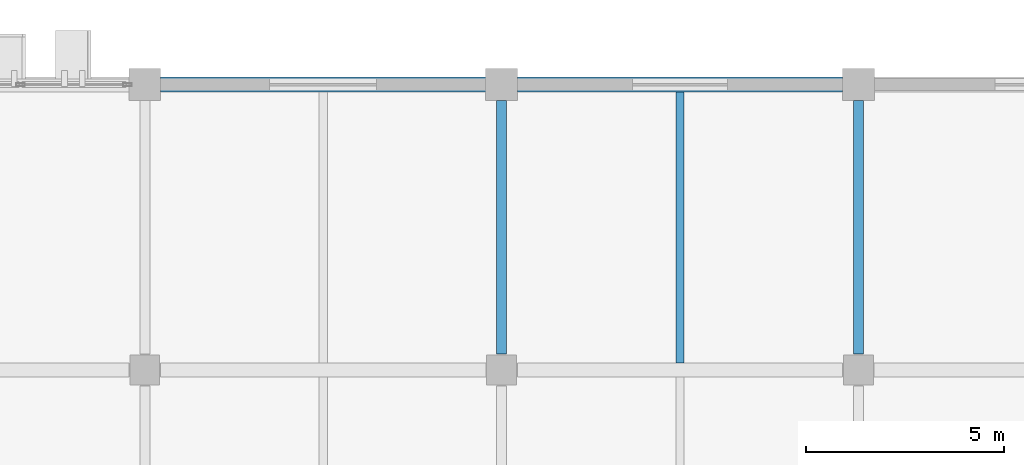
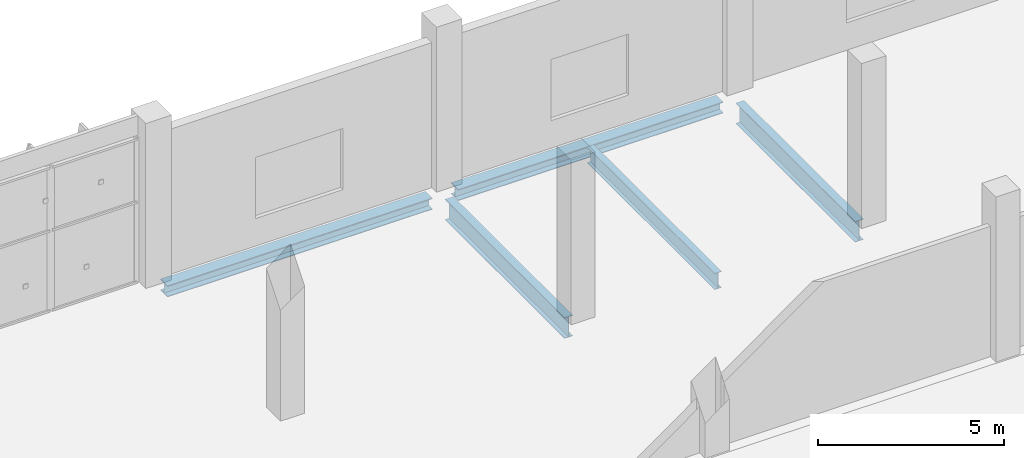
# One storey, part 44 of 137: 5 beams.
"""IFC4 building model written with IfcOpenShell, lengths in metres."""

import ifcopenshell
import ifcopenshell.guid

model = None  # the IFC model being written
_history = None  # IfcOwnerHistory: only IFC2X3 demands one
_inside = {}  # id of a spatial element -> (the spatial element, [elements in it])
_under = {}  # id of a project, library or spatial element -> (it, [spatial elements below it])
_declared = {}  # id of a project -> (the project, [libraries it declares])
_typed = {}  # id of a type object -> (the type object, [elements of that type])
_made_of = {}  # id of a material, layer set ... -> (it, [elements and type objects made of it])


def new_model(schema):
    """Start an empty IFC model of exactly this schema.

    Asked for "IFC4X3", IfcOpenShell would pick the latest addendum, in which some entities
    have other attributes; the version numbers below select the first issue.
    IFC2X3 requires an IfcOwnerHistory on every rooted entity: one is made here for all.
    """
    global model, _history
    if schema == "IFC4X3":
        model = ifcopenshell.file(schema_version=(4, 3, 0, 0))
    else:
        model = ifcopenshell.file(schema=schema)
    _inside.clear()
    _under.clear()
    _declared.clear()
    _typed.clear()
    _made_of.clear()
    _history = None
    if model.schema == "IFC2X3":
        org = make("IfcOrganization", Name="unknown")
        user = make(
            "IfcPersonAndOrganization",
            ThePerson=make("IfcPerson", FamilyName="unknown"),
            TheOrganization=org,
        )
        app = make(
            "IfcApplication",
            ApplicationDeveloper=org,
            Version="unknown",
            ApplicationFullName="unknown",
            ApplicationIdentifier="unknown",
        )
        _history = make(
            "IfcOwnerHistory",
            OwningUser=user,
            OwningApplication=app,
            ChangeAction="ADDED",
            CreationDate=0,
        )
    return model


def make(cls, **values):
    """One entity of the class cls with the attributes given. An attribute that is None is left unset."""
    return model.create_entity(
        cls, **{name: value for name, value in values.items() if value is not None}
    )


def rooted(cls, **values):
    """An entity with a GlobalId (a new one), such as an element, a storey or a relation."""
    return make(cls, GlobalId=ifcopenshell.guid.new(), OwnerHistory=_history, **values)


def si_unit(unit_type, name, prefix=None):
    """IfcSIUnit, for example si_unit("LENGTHUNIT", "METRE", prefix="MILLI")."""
    return make("IfcSIUnit", UnitType=unit_type, Prefix=prefix, Name=name)


def assignment(units):
    """IfcUnitAssignment: the units of a project."""
    return None if units is None else make("IfcUnitAssignment", Units=units)


def point(xyz):
    """IfcCartesianPoint."""
    return None if xyz is None else make("IfcCartesianPoint", Coordinates=xyz)


def direction(xyz):
    """IfcDirection."""
    return None if xyz is None else make("IfcDirection", DirectionRatios=xyz)


def frame(location, z_axis=None, x_axis=None):
    """IfcAxis2Placement3D, a coordinate frame: its origin and axes. An axis left out is left unset."""
    return make(
        "IfcAxis2Placement3D",
        Location=point(location),
        Axis=direction(z_axis),
        RefDirection=direction(x_axis),
    )


def frame_2d(location, x_axis=None):
    """IfcAxis2Placement2D, a coordinate frame in the plane: its origin and x axis."""
    return make(
        "IfcAxis2Placement2D", Location=point(location), RefDirection=direction(x_axis)
    )


def origin():
    """The frame at (0, 0, 0) with its axes left unset."""
    return frame((0.0, 0.0, 0.0))


def origin_2d():
    """The frame at (0, 0) in the plane with its x axis left unset."""
    return frame_2d((0.0, 0.0))


def place(relative_to, where):
    """IfcLocalPlacement: puts the frame where relative to a parent placement (None: the world)."""
    return make(
        "IfcLocalPlacement", PlacementRelTo=relative_to, RelativePlacement=where
    )


def context(
    kind, dimensions, precision=None, world=None, true_north=None, identifier=None
):
    """IfcGeometricRepresentationContext, for example the 3D "Model" context."""
    return make(
        "IfcGeometricRepresentationContext",
        ContextIdentifier=identifier,
        ContextType=kind,
        CoordinateSpaceDimension=dimensions,
        Precision=precision,
        WorldCoordinateSystem=world,
        TrueNorth=true_north,
    )


def subcontext(parent, identifier, kind, view, scale=None):
    """IfcGeometricRepresentationSubContext, for example "Body" below "Model"."""
    return make(
        "IfcGeometricRepresentationSubContext",
        ContextIdentifier=identifier,
        ContextType=kind,
        ParentContext=parent,
        TargetScale=scale,
        TargetView=view,
    )


def project(units=None, contexts=None):
    """IfcProject with its units and contexts."""
    return rooted(
        "IfcProject",
        Name="project",
        RepresentationContexts=contexts,
        UnitsInContext=assignment(units),
    )


def spatial(cls, under=None, at=None, **own):
    """A site, building, storey or space (cls), placed at a placement, below another one or the project."""
    s = rooted(cls, ObjectPlacement=at, **own)
    if under is not None:
        _under.setdefault(under.id(), (under, []))[1].append(s)
    return s


def profile(cls, at=None, kind="AREA", **sizes):
    """A parametric profile (cls). Its sizes go by their IFC names, for example OverallWidth=200.0."""
    return make(cls, ProfileType=kind, Position=at, **sizes)


def i_section(**sizes):
    """IfcIShapeProfileDef."""
    return profile("IfcIShapeProfileDef", **sizes)


def extrude(swept, where, along, depth):
    """IfcExtrudedAreaSolid: the profile swept, set in the frame where, extruded along a direction by depth."""
    return make(
        "IfcExtrudedAreaSolid",
        SweptArea=swept,
        Position=where,
        ExtrudedDirection=direction(along),
        Depth=depth,
    )


def shape(context_of_items, identifier, shape_type, items):
    """IfcShapeRepresentation: the items that make up one representation, for example the "Body"."""
    return make(
        "IfcShapeRepresentation",
        ContextOfItems=context_of_items,
        RepresentationIdentifier=identifier,
        RepresentationType=shape_type,
        Items=items,
    )


def material(Name=None, Category=None):
    """IfcMaterial."""
    return make("IfcMaterial", Name=Name, Category=Category)


def material_profile(
    of_material, cross_section, Name=None, Category=None, Priority=None
):
    """IfcMaterialProfile: a cross section and its material."""
    return make(
        "IfcMaterialProfile",
        Name=Name,
        Material=of_material,
        Profile=cross_section,
        Priority=Priority,
        Category=Category,
    )


def profile_set(profiles, Name=None, composite=None):
    """IfcMaterialProfileSet."""
    return make(
        "IfcMaterialProfileSet",
        Name=Name,
        MaterialProfiles=profiles,
        CompositeProfile=composite,
    )


def made_of(thing, what):
    """Note that an element or type object is made of a material, layer set ...; save() writes the relation."""
    if what is not None:
        _made_of.setdefault(what.id(), (what, []))[1].append(thing)
    return thing


def type_object(cls, material=None, **own):
    """A type object (cls), such as IfcWallType, which elements share."""
    return made_of(rooted(cls, **own), material)


def element(
    cls,
    number,
    at=None,
    inside=None,
    cuts=None,
    type_object=None,
    material=None,
    context=None,
    identifier="Body",
    shape_type=None,
    held_by="IfcProductDefinitionShape",
    body=None,
    shapes=None,
    **own,
):
    """One element of the class cls, such as IfcWall. Its Tag is "e" and its number.

    at: its placement. inside: the storey or other place that contains it. cuts: it is an
    opening in that element (IfcRelVoidsElement). A single representation is given by context,
    identifier, shape_type and body (its items); several are given by shapes. held_by: the class
    of the entity that holds the representations. save() writes the other relations.
    """
    e = rooted(cls, Tag="e%d" % number, ObjectPlacement=at, **own)
    if body is not None:
        shapes = [shape(context, identifier, shape_type, body)]
    if shapes is not None:
        e.Representation = make(held_by, Representations=shapes)
    if inside is not None:
        _inside.setdefault(inside.id(), (inside, []))[1].append(e)
    if cuts is not None:
        rooted(
            "IfcRelVoidsElement", RelatingBuildingElement=cuts, RelatedOpeningElement=e
        )
    if type_object is not None:
        _typed.setdefault(type_object.id(), (type_object, []))[1].append(e)
    return made_of(e, material)


def aggregate(whole, parts):
    """IfcRelAggregates: a whole, such as a stair, and the parts it consists of."""
    return rooted("IfcRelAggregates", RelatingObject=whole, RelatedObjects=parts)


def save(model, path):
    """Write the relations noted so far, then the file.

    IfcRelAggregates (storeys below a building ...), IfcRelContainedInSpatialStructure (elements
    in a storey), IfcRelDefinesByType, IfcRelAssociatesMaterial and IfcRelDeclares: one each for
    every whole, place, type object, material and project.
    """
    for whole, parts in _under.values():
        aggregate(whole, parts)
    for where, things in _inside.values():
        rooted(
            "IfcRelContainedInSpatialStructure",
            RelatedElements=things,
            RelatingStructure=where,
        )
    for kind, things in _typed.values():
        rooted("IfcRelDefinesByType", RelatedObjects=things, RelatingType=kind)
    for what, things in _made_of.values():
        rooted("IfcRelAssociatesMaterial", RelatedObjects=things, RelatingMaterial=what)
    for by, libraries in _declared.values():
        rooted("IfcRelDeclares", RelatingContext=by, RelatedDefinitions=libraries)
    model.write(path)


model = new_model("IFC4")

# Units and contexts
model_context = context("Model", 3, precision=1e-05, world=origin(), true_north=direction((0.0, 1.0)))
body_context = subcontext(model_context, "Body", "Model", "MODEL_VIEW")
ifc_project = project(units=[si_unit("LENGTHUNIT", "METRE"), si_unit("AREAUNIT", "SQUARE_METRE"), si_unit("VOLUMEUNIT", "CUBIC_METRE"), si_unit("PLANEANGLEUNIT", "RADIAN"), si_unit("MASSUNIT", "GRAM", prefix="KILO")], contexts=[model_context])

# Site, building, storey
site_placement = place(None, origin())
site = spatial("IfcSite", under=ifc_project, at=site_placement, CompositionType="ELEMENT")
building_placement = place(site_placement, origin())
building = spatial("IfcBuilding", under=site, at=building_placement, Name="Celestram Park Convention Centre", CompositionType="ELEMENT")
storey_placement = place(building_placement, origin())
storey = spatial("IfcBuildingStorey", under=building, at=storey_placement, Name="L00", CompositionType="ELEMENT", Elevation=0.0)

# Beams
ifc_material = material(Name="Steel ASTM A992 Grade 50", Category="steel")
ifc_material_profile_1 = material_profile(ifc_material, i_section(OverallWidth=0.25390625, OverallDepth=0.68310546875, WebThickness=0.012451171875, FlangeThickness=0.01904296875, at=origin_2d()), Name="W27X94")
ifc_profile_set_1 = profile_set([ifc_material_profile_1], Name="Steel ASTM A992 Grade 50")
beam_type_1 = type_object("IfcBeamType", Name="STR-BM-W27X94", PredefinedType="BEAM", material=ifc_profile_set_1)
for number, where, z_axis, x_axis, name in (
    (1, (180.0, 29.197998046875, -0.66162109375), (0.0, 1.0, 0.0), (-1.0, 0.0, 0.0), "Primary Y-girder BG-L00-0778"),
    (2, (189.0, 29.197998046875, -0.66162109375), (0.0, 1.0, 0.0), (-1.0, 0.0, 0.0), "Primary Y-girder BG-L00-0804"),
):
    element("IfcBeam", number, at=place(storey_placement, frame(where, z_axis=z_axis, x_axis=x_axis)), inside=storey, type_object=beam_type_1, Name=name, PredefinedType="BEAM", context=body_context, shape_type="SweptSolid", body=[
        extrude(i_section(OverallWidth=0.25390625, OverallDepth=0.68310546875, WebThickness=0.012451171875, FlangeThickness=0.01904296875, at=origin_2d()), origin(), (0.0, 0.0, 1.0), 6.404052734375),
    ])
ifc_material_profile_2 = material_profile(ifc_material, i_section(OverallWidth=0.2099609375, OverallDepth=0.532958984375, WebThickness=0.01025390625, FlangeThickness=0.015625, at=origin_2d()), Name="W21X62")
ifc_profile_set_2 = profile_set([ifc_material_profile_2], Name="Steel ASTM A992 Grade 50")
beam_type_2 = type_object("IfcBeamType", Name="STR-JST-W21X62", PredefinedType="JOIST", material=ifc_profile_set_2)
beam_placement = place(storey_placement, frame((184.5, 28.97412109375, -0.58642578125), z_axis=(0.0, 1.0, 0.0), x_axis=(-1.0, 0.0, 0.0)))
element("IfcBeam", 3, at=beam_placement, inside=storey, type_object=beam_type_2, Name="Secondary composite joist BG-L00-1212", PredefinedType="JOIST", context=body_context, shape_type="SweptSolid", body=[
    extrude(i_section(OverallWidth=0.2099609375, OverallDepth=0.532958984375, WebThickness=0.01025390625, FlangeThickness=0.015625, at=origin_2d()), origin(), (0.0, 0.0, 1.0), 6.843994140625),
])
ifc_material_profile_3 = material_profile(ifc_material, i_section(OverallWidth=0.373046875, OverallDepth=0.373046875, WebThickness=0.016357421875, FlangeThickness=0.026123046875, at=origin_2d()), Name="W14X132")
ifc_profile_set_3 = profile_set([ifc_material_profile_3], Name="Steel ASTM A992 Grade 50")
beam_type_3 = type_object("IfcBeamType", Name="STR-SPN-W14X132", PredefinedType="SPANDREL", material=ifc_profile_set_3)
for number, where, z_axis, x_axis, name in (
    (4, (171.39794921875, 36.0, -0.506591796875), (1.0, 0.0, 0.0), (0.0, 1.0, 0.0), "Primary X-girder BG-L00-0753"),
    (5, (180.39794921875, 36.0, -0.506591796875), (1.0, 0.0, 0.0), (0.0, 1.0, 0.0), "Primary X-girder BG-L00-0779"),
):
    element("IfcBeam", number, at=place(storey_placement, frame(where, z_axis=z_axis, x_axis=x_axis)), inside=storey, type_object=beam_type_3, Name=name, PredefinedType="SPANDREL", context=body_context, shape_type="SweptSolid", body=[
        extrude(i_section(OverallWidth=0.373046875, OverallDepth=0.373046875, WebThickness=0.016357421875, FlangeThickness=0.026123046875, at=origin_2d()), origin(), (0.0, 0.0, 1.0), 8.2041015625),
    ])

save(model, "model.ifc")
